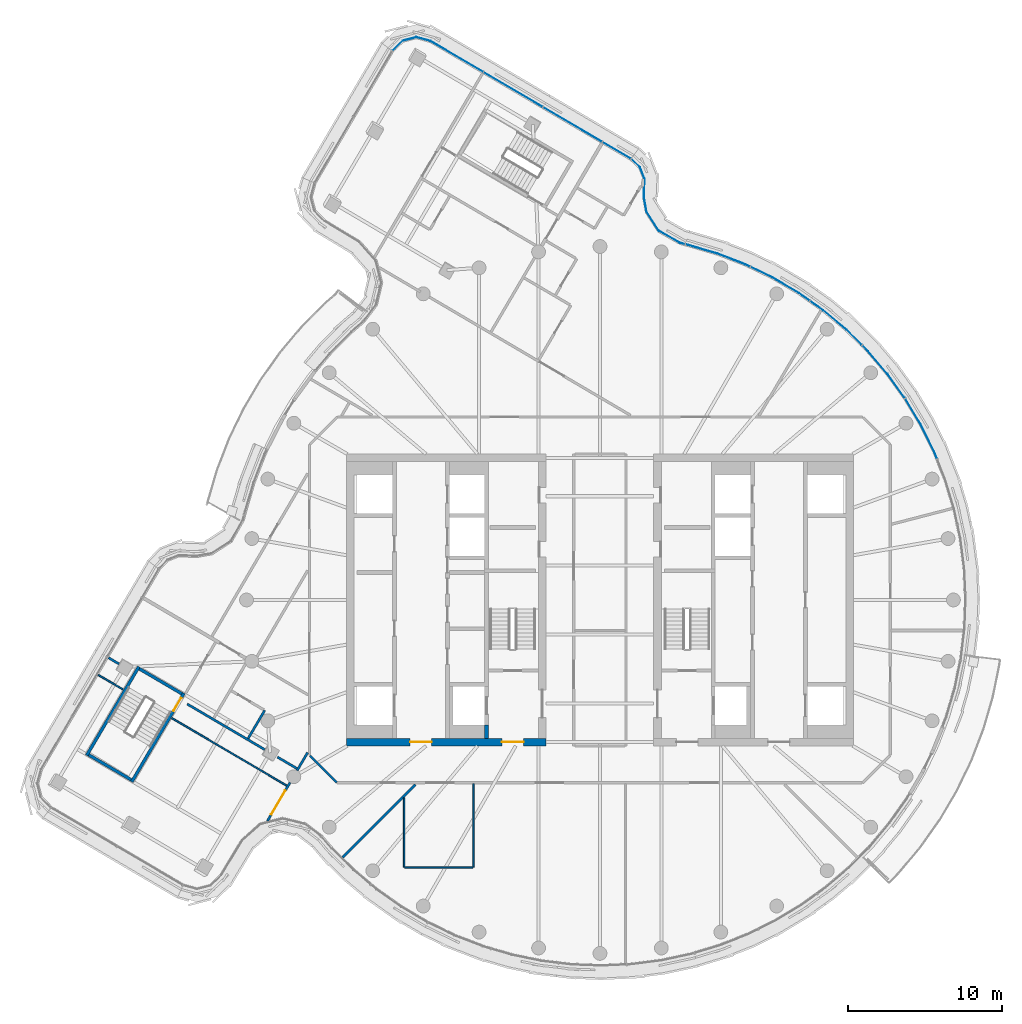
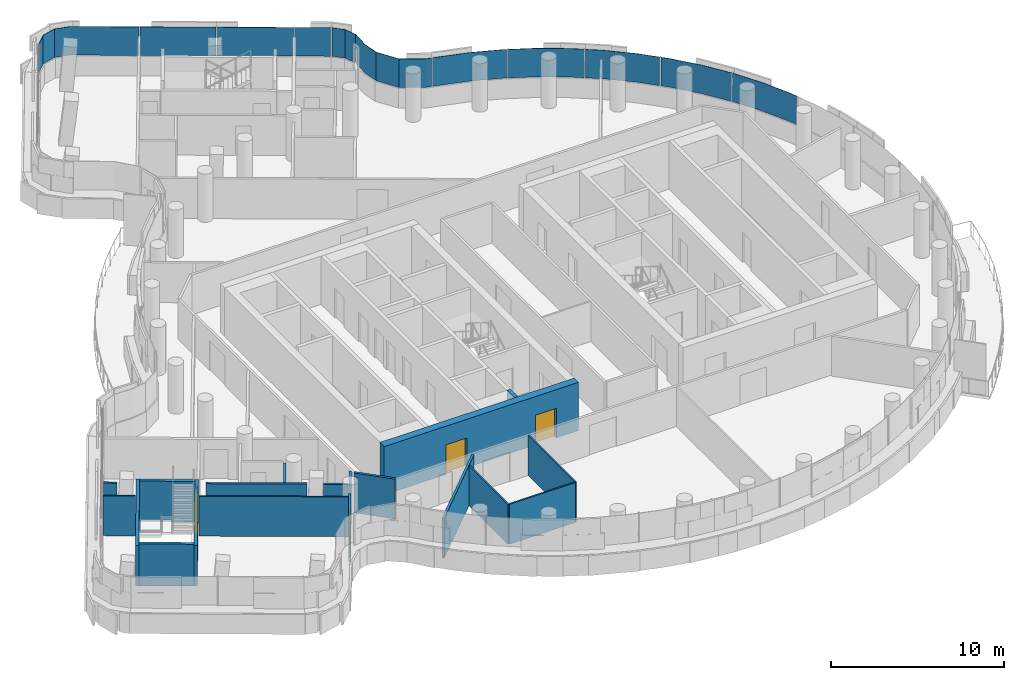
# One storey, part 16 of 26: 19 walls, 10 plates, 4 doors, 4 openings, 2 elements without a shape of their own.
"""IFC4 building model written with IfcOpenShell, lengths in metres."""

from ifc_helpers import new_model, si_unit, direction, frame, frame_2d, origin, place, context, subcontext, project, spatial, polyline, rectangle, outline, extrude, material, layer, layer_set, type_object, element, fill, aggregate, save


model = new_model("IFC4")

# Units and contexts
model_context = context("Model", 3, precision=1e-05, world=origin(), true_north=direction((0.0, 1.0)))
body_context = subcontext(model_context, "Body", "Model", "MODEL_VIEW")
ifc_project = project(units=[si_unit("LENGTHUNIT", "METRE"), si_unit("AREAUNIT", "SQUARE_METRE"), si_unit("VOLUMEUNIT", "CUBIC_METRE"), si_unit("PLANEANGLEUNIT", "RADIAN"), si_unit("MASSUNIT", "GRAM", prefix="KILO")], contexts=[model_context])

# Site, building, storey
site_placement = place(None, origin())
site = spatial("IfcSite", under=ifc_project, at=site_placement, CompositionType="ELEMENT")
building_placement = place(site_placement, origin())
building = spatial("IfcBuilding", under=site, at=building_placement, Name="Tamarind Cross Interchange Tower", CompositionType="ELEMENT")
storey_placement = place(building_placement, frame((0.0, 0.0, 248.699951171875)))
storey = spatial("IfcBuildingStorey", under=building, at=storey_placement, Name="L63", CompositionType="ELEMENT", Elevation=248.699951171875)

# Curtain wall, plates
ifc_material_1 = material(Name="Aluminium 6063-T6", Category="aluminium")
ifc_layer_1 = layer(ifc_material_1, 0.139892578125)
ifc_layer_set_1 = layer_set([ifc_layer_1], Name="Aluminium 6063-T6")
curtain_wall_type = type_object("IfcCurtainWallType", Name="Hotel curtain wall, 4.5 m bays", PredefinedType="NOTDEFINED", material=ifc_layer_set_1)
curtain_wall_1_placement = place(storey_placement, origin())
curtain_wall_1 = element("IfcCurtainWall", 1, at=curtain_wall_1_placement, inside=storey, type_object=curtain_wall_type, Name="CWS-L63-01", PredefinedType="NOTDEFINED")
ifc_material_2 = material(Name="Laminated low-e glass 6+1.52+6", Category="glass")
ifc_layer_2 = layer(ifc_material_2, 0.02392578125)
ifc_layer_set_2 = layer_set([ifc_layer_2], Name="Laminated low-e glass 6+1.52+6")
plate_type = type_object("IfcPlateType", Name="Vision panel CW2", PredefinedType="CURTAIN_PANEL", material=ifc_layer_set_2)
plate_1_placement = place(storey_placement, frame((0.0, 0.0, 1.400146484375)))
plate_1 = element("IfcPlate", 2, at=plate_1_placement, type_object=plate_type, Name="CWP-L63-01-16", PredefinedType="CURTAIN_PANEL", context=body_context, shape_type="SweptSolid", body=[
    extrude(outline(polyline([(21.9189453125, 9.192626953125), (21.7392578125, 9.6474609375), (20.868408203125, 11.40966796875), (19.863037109375, 13.08056640625), (19.883544921875, 13.0927734375), (20.889404296875, 11.421142578125), (21.76123046875, 9.6572265625), (21.941162109375, 9.201416015625), (21.9189453125, 9.192626953125)])), origin(), (0.0, 0.0, 1.0), 2.02001953125),
])
plate_2_placement = place(storey_placement, frame((0.0, 0.0, 1.400146484375)))
plate_2 = element("IfcPlate", 3, at=plate_2_placement, type_object=plate_type, Name="CWP-L63-01-17", PredefinedType="CURTAIN_PANEL", context=body_context, shape_type="SweptSolid", body=[
    extrude(outline(polyline([(19.82958984375, 13.129150390625), (18.705810546875, 14.68896484375), (17.4287109375, 16.183349609375), (17.061767578125, 16.54736328125), (17.07861328125, 16.564453125), (17.4462890625, 16.19970703125), (18.724609375, 14.703857421875), (19.84912109375, 13.14306640625), (19.82958984375, 13.129150390625)])), origin(), (0.0, 0.0, 1.0), 2.02001953125),
])
plate_3_placement = place(storey_placement, frame((0.0, 0.0, 1.400146484375)))
plate_3 = element("IfcPlate", 4, at=plate_3_placement, type_object=plate_type, Name="CWP-L63-01-18", PredefinedType="CURTAIN_PANEL", context=body_context, shape_type="SweptSolid", body=[
    extrude(outline(polyline([(17.01904296875, 16.589599609375), (16.032958984375, 17.5673828125), (14.52734375, 18.83154296875), (13.669677734375, 19.438232421875), (13.68359375, 19.457763671875), (14.5419921875, 18.850341796875), (16.049072265625, 17.585205078125), (17.0361328125, 16.606689453125), (17.01904296875, 16.589599609375)])), origin(), (0.0, 0.0, 1.0), 2.02001953125),
])
plate_4_placement = place(storey_placement, frame((0.0, 0.0, 1.400146484375)))
plate_4 = element("IfcPlate", 5, at=plate_4_placement, type_object=plate_type, Name="CWP-L63-01-19", PredefinedType="CURTAIN_PANEL", context=body_context, shape_type="SweptSolid", body=[
    extrude(outline(polyline([(13.62060546875, 19.472900390625), (12.922607421875, 19.966796875), (11.229736328125, 20.9658203125), (9.803466796875, 21.655517578125), (9.813720703125, 21.677001953125), (11.240966796875, 20.98681640625), (12.935791015625, 19.987060546875), (13.634521484375, 19.492431640625), (13.62060546875, 19.472900390625)])), origin(), (0.0, 0.0, 1.0), 2.02001953125),
])
plate_5_placement = place(storey_placement, frame((0.0, 0.0, 1.400146484375)))
plate_5 = element("IfcPlate", 6, at=plate_5_placement, type_object=plate_type, Name="CWP-L63-01-20", PredefinedType="CURTAIN_PANEL", context=body_context, shape_type="SweptSolid", body=[
    extrude(outline(polyline([(9.749267578125, 21.681640625), (9.4599609375, 21.821533203125), (7.625732421875, 22.528076171875), (5.7333984375, 23.08251953125), (5.577880859375, 23.1240234375), (5.583984375, 23.147216796875), (5.73974609375, 23.105712890625), (7.63330078125, 22.55078125), (9.469482421875, 21.843505859375), (9.759765625, 21.703125), (9.749267578125, 21.681640625)])), origin(), (0.0, 0.0, 1.0), 2.02001953125),
])
plate_6_placement = place(storey_placement, frame((0.0, 0.0, 1.400146484375)))
plate_6 = element("IfcPlate", 7, at=plate_6_placement, type_object=plate_type, Name="CWP-L63-01-21", PredefinedType="CURTAIN_PANEL", context=body_context, shape_type="SweptSolid", body=[
    extrude(outline(polyline([(5.519775390625, 23.139404296875), (5.20703125, 23.22265625), (3.82861328125, 24.00439453125), (3.023681640625, 25.2470703125), (2.845458984375, 26.22900390625), (2.889892578125, 27.401123046875), (2.602294921875, 28.136962890625), (2.032470703125, 28.671875), (2.048828125, 28.689208984375), (2.622802734375, 28.150634765625), (2.9140625, 27.4052734375), (2.86962890625, 26.230712890625), (3.04638671875, 25.256103515625), (3.845703125, 24.0224609375), (5.21630859375, 23.2451171875), (5.52587890625, 23.16259765625), (5.519775390625, 23.139404296875)])), origin(), (0.0, 0.0, 1.0), 2.02001953125),
])
aggregate(curtain_wall_1, [plate_1, plate_2, plate_3, plate_4, plate_5, plate_6])

curtain_wall_2_placement = place(storey_placement, origin())
curtain_wall_2 = element("IfcCurtainWall", 8, at=curtain_wall_2_placement, inside=storey, type_object=curtain_wall_type, Name="CWS-L63-02", PredefinedType="NOTDEFINED")
plate_7_placement = place(storey_placement, frame((0.0, 0.0, 1.400146484375)))
plate_7 = element("IfcPlate", 9, at=plate_7_placement, type_object=plate_type, Name="CWP-L63-02-00", PredefinedType="CURTAIN_PANEL", context=body_context, shape_type="SweptSolid", body=[
    extrude(outline(polyline([(1.98681640625, 28.7060546875), (0.17626953125, 29.77001953125), (0.1884765625, 29.790771484375), (1.9990234375, 28.7265625), (1.98681640625, 28.7060546875)])), origin(), (0.0, 0.0, 1.0), 2.02001953125),
])
plate_8_placement = place(storey_placement, frame((0.0, 0.0, 1.400146484375)))
plate_8 = element("IfcPlate", 10, at=plate_8_placement, type_object=plate_type, Name="CWP-L63-02-01", PredefinedType="CURTAIN_PANEL", context=body_context, shape_type="SweptSolid", body=[
    extrude(outline(polyline([(0.12451171875, 29.800537109375), (-3.690673828125, 32.043212890625), (-3.678466796875, 32.063720703125), (0.13671875, 29.8212890625), (0.12451171875, 29.800537109375)])), origin(), (0.0, 0.0, 1.0), 2.02001953125),
])
plate_9_placement = place(storey_placement, frame((0.0, 0.0, 1.400146484375)))
plate_9 = element("IfcPlate", 11, at=plate_9_placement, type_object=plate_type, Name="CWP-L63-02-02", PredefinedType="CURTAIN_PANEL", context=body_context, shape_type="SweptSolid", body=[
    extrude(outline(polyline([(-3.742431640625, 32.073486328125), (-7.5576171875, 34.316162109375), (-7.545654296875, 34.336669921875), (-3.730224609375, 32.09423828125), (-3.742431640625, 32.073486328125)])), origin(), (0.0, 0.0, 1.0), 2.02001953125),
])
plate_10_placement = place(storey_placement, frame((0.0, 0.0, 1.400146484375)))
plate_10 = element("IfcPlate", 12, at=plate_10_placement, type_object=plate_type, Name="CWP-L63-02-03", PredefinedType="CURTAIN_PANEL", context=body_context, shape_type="SweptSolid", body=[
    extrude(outline(polyline([(-7.609375, 34.346435546875), (-11.027587890625, 36.355712890625), (-11.94384765625, 36.60888671875), (-12.8359375, 36.377197265625), (-13.4931640625, 35.730224609375), (-13.510009765625, 35.747314453125), (-12.84814453125, 36.39892578125), (-11.943603515625, 36.633544921875), (-11.018310546875, 36.3779296875), (-7.597412109375, 34.3671875), (-7.609375, 34.346435546875)])), origin(), (0.0, 0.0, 1.0), 2.02001953125),
])
aggregate(curtain_wall_2, [plate_7, plate_8, plate_9, plate_10])

# Wall, openings, doors
ifc_material_3 = material(Name="Concrete C50", Category="concrete")
ifc_layer_3 = layer(ifc_material_3, 0.5)
ifc_layer_set_3 = layer_set([ifc_layer_3], Name="Concrete C50")
wall_type_1 = type_object("IfcWallType", Name="Core wall 500 mm Concrete C50", PredefinedType="SHEAR", material=ifc_layer_set_3)
wall_1_placement = place(storey_placement, frame((-16.5, -9.25, 0.0), z_axis=(0.0, 0.0, 1.0), x_axis=(1.0, 0.0, 0.0)))
wall_1 = element("IfcWall", 13, at=wall_1_placement, inside=storey, type_object=wall_type_1, Name="Core wall CWL-L63-W-S", PredefinedType="SHEAR", context=body_context, shape_type="SweptSolid", body=[
    extrude(rectangle(XDim=13.0, YDim=0.5, at=frame_2d((6.5, 0.0))), origin(), (0.0, 0.0, 1.0), 3.420166015625),
])
opening_1_placement = place(wall_1_placement, frame((4.14990234375, 0.0, 0.0)))
opening_1 = element("IfcOpeningElement", 14, at=opening_1_placement, cuts=wall_1, Name="Opening DCW1", PredefinedType="OPENING", context=body_context, shape_type="SweptSolid", body=[
    extrude(rectangle(XDim=1.39990234375, YDim=2.10009765625, at=frame_2d((0.699951171875, 1.050048828125))), frame((0.0, 0.260009765625, 0.0), z_axis=(0.0, -1.0, 0.0), x_axis=(1.0, 0.0, 0.0)), (0.0, 0.0, 1.0), 0.52001953125),
])
opening_2_placement = place(wall_1_placement, frame((10.125, 0.0, 0.0)))
opening_2 = element("IfcOpeningElement", 15, at=opening_2_placement, cuts=wall_1, Name="Opening DCWF", PredefinedType="OPENING", context=body_context, shape_type="SweptSolid", body=[
    extrude(rectangle(XDim=1.39990234375, YDim=2.10009765625, at=frame_2d((0.699951171875, 1.050048828125))), frame((0.0, 0.260009765625, 0.0), z_axis=(0.0, -1.0, 0.0), x_axis=(1.0, 0.0, 0.0)), (0.0, 0.0, 1.0), 0.52001953125),
])
ifc_material_4 = material(Name="Steel, fire-resisting", Category="steel")
door_type_1 = type_object("IfcDoorType", Name="Core fire door 1400 x 2100 FD90", OperationType="SINGLE_SWING_LEFT", PredefinedType="DOOR", material=ifc_material_4)
door_1_placement = place(opening_1_placement, origin())
door_1 = element("IfcDoor", 16, at=door_1_placement, inside=storey, type_object=door_type_1, Name="L63 lift lobby door", OperationType="SINGLE_SWING_LEFT", OverallHeight=2.10009765625, OverallWidth=1.39990234375, PredefinedType="DOOR", context=body_context, shape_type="SweptSolid", body=[
    extrude(rectangle(XDim=1.39990234375, YDim=2.10009765625, at=frame_2d((0.699951171875, 1.050048828125))), frame((0.0, 0.02490234375, 0.0), z_axis=(0.0, -1.0, 0.0), x_axis=(1.0, 0.0, 0.0)), (0.0, 0.0, 1.0), 0.050048828125),
])
fill(opening_1, door_1)
door_2_placement = place(opening_2_placement, origin())
door_2 = element("IfcDoor", 17, at=door_2_placement, inside=storey, type_object=door_type_1, Name="L63 firefighting lobby end door", OperationType="SINGLE_SWING_LEFT", OverallHeight=2.10009765625, OverallWidth=1.39990234375, PredefinedType="DOOR", context=body_context, shape_type="SweptSolid", body=[
    extrude(rectangle(XDim=1.39990234375, YDim=2.10009765625, at=frame_2d((0.699951171875, 1.050048828125))), frame((0.0, 0.02490234375, 0.0), z_axis=(0.0, -1.0, 0.0), x_axis=(1.0, 0.0, 0.0)), (0.0, 0.0, 1.0), 0.050048828125),
])
fill(opening_2, door_2)

# Walls
ifc_layer_4 = layer(ifc_material_3, 0.25)
ifc_layer_set_4 = layer_set([ifc_layer_4], Name="Concrete C50")
wall_type_2 = type_object("IfcWallType", Name="Core web wall 250 mm Concrete C50", PredefinedType="SHEAR", material=ifc_layer_set_4)
wall_2_placement = place(storey_placement, frame((-7.375, -9.0, 0.0), z_axis=(0.0, 0.0, 1.0), x_axis=(0.0, 1.0, 0.0)))
element("IfcWall", 18, at=wall_2_placement, inside=storey, type_object=wall_type_2, Name="Core wall CWL-L63-W-BW", PredefinedType="SHEAR", context=body_context, shape_type="SweptSolid", body=[
    extrude(rectangle(XDim=0.875, YDim=0.25, at=frame_2d((0.4375, 0.0))), origin(), (0.0, 0.0, 1.0), 3.420166015625),
])
ifc_material_5 = material(Name="Gypsum board partition on steel studs", Category="steel")
ifc_layer_5 = layer(ifc_material_5, 0.10009765625)
ifc_layer_set_5 = layer_set([ifc_layer_5], Name="Gypsum board partition on steel studs")
wall_type_3 = type_object("IfcWallType", Name="Partition 100 mm EI 90", PredefinedType="PARTITIONING", material=ifc_layer_set_5)
wall_3_placement = place(storey_placement, frame((-32.639892578125, -4.881591796875, 0.0), z_axis=(0.0, 0.0, 1.0), x_axis=(0.862207561559, -0.506555150789, 0.0)))
element("IfcWall", 19, at=wall_3_placement, inside=storey, type_object=wall_type_3, Name="Partition L63-004", PredefinedType="PARTITIONING", context=body_context, shape_type="SweptSolid", body=[
    extrude(rectangle(XDim=1.85888671875, YDim=0.10009765625, at=frame_2d((0.929443359375, 0.0))), origin(), (0.0, 0.0, 1.0), 2.820068359375),
])
wall_4_placement = place(storey_placement, frame((-27.864501953125, -7.687255859375, 0.0), z_axis=(0.0, 0.0, 1.0), x_axis=(0.862208691121, -0.506553228156, 0.0)))
element("IfcWall", 20, at=wall_4_placement, inside=storey, type_object=wall_type_3, Name="Partition L63-005", PredefinedType="PARTITIONING", context=body_context, shape_type="SweptSolid", body=[
    extrude(rectangle(XDim=8.68505859375, YDim=0.10009765625, at=frame_2d((4.342529296875, 0.0))), origin(), (0.0, 0.0, 1.0), 2.820068359375),
])
wall_5_placement = place(storey_placement, frame((-12.7060546875, -17.39990234375, 0.0), z_axis=(0.0, 0.0, 1.0), x_axis=(1.0, 0.0, 0.0)))
element("IfcWall", 21, at=wall_5_placement, inside=storey, type_object=wall_type_3, Name="Partition L63-025", PredefinedType="PARTITIONING", context=body_context, shape_type="SweptSolid", body=[
    extrude(rectangle(XDim=4.43017578125, YDim=0.10009765625, at=frame_2d((2.215087890625, 0.0))), origin(), (0.0, 0.0, 1.0), 2.823974609375),
])
wall_6_placement = place(storey_placement, frame((-12.740966796875, -17.39990234375, 0.0), z_axis=(0.0, 0.0, 1.0), x_axis=(0.0, 1.0, 0.0)))
element("IfcWall", 22, at=wall_6_placement, inside=storey, type_object=wall_type_3, Name="Partition L63-052", PredefinedType="PARTITIONING", context=body_context, shape_type="SweptSolid", body=[
    extrude(rectangle(XDim=4.518798828125, YDim=0.10009765625, at=frame_2d((2.25927734375, 0.0))), origin(), (0.0, 0.0, 1.0), 2.823974609375),
])
wall_7_placement = place(storey_placement, frame((-8.240966796875, -17.39990234375, 0.0), z_axis=(0.0, 0.0, 1.0), x_axis=(0.0, 1.0, 0.0)))
element("IfcWall", 23, at=wall_7_placement, inside=storey, type_object=wall_type_3, Name="Partition L63-053", PredefinedType="PARTITIONING", context=body_context, shape_type="SweptSolid", body=[
    extrude(rectangle(XDim=5.44482421875, YDim=0.10009765625, at=frame_2d((2.722412109375, 0.0))), origin(), (0.0, 0.0, 1.0), 2.823974609375),
])
ifc_layer_6 = layer(ifc_material_5, 0.14990234375)
ifc_layer_set_6 = layer_set([ifc_layer_6], Name="Gypsum board partition on steel studs")
wall_type_4 = type_object("IfcWallType", Name="Partition 150 mm EI 120", PredefinedType="PARTITIONING", material=ifc_layer_set_6)
wall_8_placement = place(storey_placement, frame((-18.87158203125, -10.12841796875, 0.0), z_axis=(0.0, 0.0, 1.0), x_axis=(0.707106781187, -0.707106781187, 0.0)))
element("IfcWall", 24, at=wall_8_placement, inside=storey, type_object=wall_type_4, Name="Partition L63-001", PredefinedType="PARTITIONING", context=body_context, shape_type="SweptSolid", body=[
    extrude(rectangle(XDim=2.465087890625, YDim=0.14990234375, at=frame_2d((1.232421875, 0.0))), origin(), (0.0, 0.0, 1.0), 2.823974609375),
])
wall_9_placement = place(storey_placement, frame((-31.98095703125, -3.760498046875, 0.0), z_axis=(0.0, 0.0, 1.0), x_axis=(0.86206768602, -0.506793157728, 0.0)))
element("IfcWall", 25, at=wall_9_placement, inside=storey, type_object=wall_type_4, Name="Partition L63-006", PredefinedType="PARTITIONING", context=body_context, shape_type="SweptSolid", body=[
    extrude(rectangle(XDim=0.79931640625, YDim=0.14990234375, at=frame_2d((0.399658203125, 0.0))), origin(), (0.0, 0.0, 1.0), 2.823974609375),
])
wall_10_placement = place(storey_placement, frame((-26.856689453125, -6.77294921875, 0.0), z_axis=(0.0, 0.0, 1.0), x_axis=(0.862091797668, -0.506752140985, 0.0)))
element("IfcWall", 26, at=wall_10_placement, inside=storey, type_object=wall_type_4, Name="Partition L63-007", PredefinedType="PARTITIONING", context=body_context, shape_type="SweptSolid", body=[
    extrude(rectangle(XDim=5.85302734375, YDim=0.14990234375, at=frame_2d((2.926513671875, 0.0))), origin(), (0.0, 0.0, 1.0), 2.820068359375),
])
wall_11_placement = place(storey_placement, frame((-20.989501953125, -10.221923828125, 0.0), z_axis=(0.0, 0.0, 1.0), x_axis=(0.862134928998, -0.506678758388, 0.0)))
element("IfcWall", 27, at=wall_11_placement, inside=storey, type_object=wall_type_4, Name="Partition L63-008", PredefinedType="PARTITIONING", context=body_context, shape_type="SweptSolid", body=[
    extrude(rectangle(XDim=1.46923828125, YDim=0.14990234375, at=frame_2d((0.734619140625, 0.0))), origin(), (0.0, 0.0, 1.0), 2.820068359375),
])
wall_12_placement = place(storey_placement, frame((-16.740478515625, -16.740478515625, 0.0), z_axis=(0.0, 0.0, 1.0), x_axis=(0.707106781187, 0.707106781187, 0.0)))
element("IfcWall", 28, at=wall_12_placement, inside=storey, type_object=wall_type_4, Name="Partition L63-032", PredefinedType="PARTITIONING", context=body_context, shape_type="SweptSolid", body=[
    extrude(rectangle(XDim=6.690673828125, YDim=0.14990234375, at=frame_2d((3.34521484375, 0.0))), origin(), (0.0, 0.0, 1.0), 2.823974609375),
])
wall_13_placement = place(storey_placement, frame((-22.89208984375, -9.016357421875, 0.0), z_axis=(0.0, 0.0, 1.0), x_axis=(0.506789195044, 0.862070015594, 0.0)))
element("IfcWall", 29, at=wall_13_placement, inside=storey, type_object=wall_type_4, Name="Partition L63-038", PredefinedType="PARTITIONING", context=body_context, shape_type="SweptSolid", body=[
    extrude(rectangle(XDim=2.12548828125, YDim=0.14990234375, at=frame_2d((1.062744140625, 0.0))), origin(), (0.0, 0.0, 1.0), 2.719970703125),
])

# Wall, opening, door
wall_14_placement = place(storey_placement, frame((-21.63671875, -14.37939453125, 0.0), z_axis=(0.0, 0.0, 1.0), x_axis=(0.506773579249, 0.862079195536, 0.0)))
wall_14 = element("IfcWall", 30, at=wall_14_placement, inside=storey, type_object=wall_type_4, Name="Partition L63-040", PredefinedType="PARTITIONING", context=body_context, shape_type="SweptSolid", body=[
    extrude(rectangle(XDim=2.899658203125, YDim=0.14990234375, at=frame_2d((1.44970703125, 0.0))), origin(), (0.0, 0.0, 1.0), 2.823974609375),
])
opening_3_placement = place(wall_14_placement, frame((0.4912109375, 0.0, 0.0)))
opening_3 = element("IfcOpeningElement", 31, at=opening_3_placement, cuts=wall_14, Name="Opening D15", PredefinedType="OPENING", context=body_context, shape_type="SweptSolid", body=[
    extrude(rectangle(XDim=1.800048828125, YDim=2.10009765625, at=frame_2d((0.89990234375, 1.050048828125))), frame((0.0, 0.0849609375, 0.0), z_axis=(0.0, -1.0, 0.0), x_axis=(1.0, 0.0, 0.0)), (0.0, 0.0, 1.0), 0.169921875),
])
ifc_material_6 = material(Name="Fire-resisting door set")
door_type_2 = type_object("IfcDoorType", Name="Interior door 1800 x 2100 FD60S", OperationType="DOUBLE_DOOR_SINGLE_SWING", PredefinedType="DOOR", material=ifc_material_6)
door_3_placement = place(opening_3_placement, origin())
door_3 = element("IfcDoor", 32, at=door_3_placement, inside=storey, type_object=door_type_2, Name="Door D15", OperationType="DOUBLE_DOOR_SINGLE_SWING", OverallHeight=2.10009765625, OverallWidth=1.800048828125, PredefinedType="DOOR", context=body_context, shape_type="SweptSolid", body=[
    extrude(rectangle(XDim=1.800048828125, YDim=2.10009765625, at=frame_2d((0.89990234375, 1.050048828125))), frame((0.0, 0.02490234375, 0.0), z_axis=(0.0, -1.0, 0.0), x_axis=(1.0, 0.0, 0.0)), (0.0, 0.0, 1.0), 0.050048828125),
])
fill(opening_3, door_3)

# Wall
wall_15_placement = place(storey_placement, frame((-19.706787109375, -11.0966796875, 0.0), z_axis=(0.0, 0.0, 1.0), x_axis=(0.506775518667, 0.862078055445, 0.0)))
element("IfcWall", 33, at=wall_15_placement, inside=storey, type_object=wall_type_4, Name="Partition L63-041", PredefinedType="PARTITIONING", context=body_context, shape_type="SweptSolid", body=[
    extrude(rectangle(XDim=1.352294921875, YDim=0.14990234375, at=frame_2d((0.67626953125, 0.0))), origin(), (0.0, 0.0, 1.0), 2.823974609375),
])

# Wall, opening, door
ifc_material_7 = material(Name="Concrete C40", Category="concrete")
ifc_layer_7 = layer(ifc_material_7, 0.199951171875)
ifc_layer_set_7 = layer_set([ifc_layer_7], Name="Concrete C40")
wall_type_5 = type_object("IfcWallType", Name="Stair shaft wall 200 mm Concrete C40", PredefinedType="SHEAR", material=ifc_layer_set_7)
wall_16_placement = place(storey_placement, frame((-27.0732421875, -6.065673828125, -0.139892578125), z_axis=(0.0, 0.0, 1.0), x_axis=(-0.506720715415, -0.86211026938, 0.0)))
wall_16 = element("IfcWall", 34, at=wall_16_placement, inside=storey, type_object=wall_type_5, Name="Core wall CWL-L63-ST5-H", PredefinedType="SHEAR", context=body_context, shape_type="SweptSolid", body=[
    extrude(rectangle(XDim=6.699951171875, YDim=0.199951171875, at=frame_2d((3.35009765625, 0.0))), origin(), (0.0, 0.0, 1.0), 2.85986328125),
])
opening_4_placement = place(wall_16_placement, frame((0.35009765625, 0.0, 0.0)))
opening_4 = element("IfcOpeningElement", 35, at=opening_4_placement, cuts=wall_16, Name="Opening ST5L63", PredefinedType="OPENING", context=body_context, shape_type="SweptSolid", body=[
    extrude(rectangle(XDim=1.0, YDim=2.10009765625, at=frame_2d((0.5, 1.050048828125))), frame((0.0, 0.10986328125, 0.0), z_axis=(0.0, -1.0, 0.0), x_axis=(1.0, 0.0, 0.0)), (0.0, 0.0, 1.0), 0.219970703125),
])
door_type_3 = type_object("IfcDoorType", Name="Core fire door 1000 x 2100 FD90", OperationType="SINGLE_SWING_LEFT", PredefinedType="DOOR", material=ifc_material_4)
door_4_placement = place(opening_4_placement, origin())
door_4 = element("IfcDoor", 36, at=door_4_placement, inside=storey, type_object=door_type_3, Name="L63 stair door ST5", OperationType="SINGLE_SWING_LEFT", OverallHeight=2.10009765625, OverallWidth=1.0, PredefinedType="DOOR", context=body_context, shape_type="SweptSolid", body=[
    extrude(rectangle(XDim=1.0, YDim=2.10009765625, at=frame_2d((0.5, 1.050048828125))), frame((0.0, 0.02490234375, 0.0), z_axis=(0.0, -1.0, 0.0), x_axis=(1.0, 0.0, 0.0)), (0.0, 0.0, 1.0), 0.050048828125),
])
fill(opening_4, door_4)

# Walls
wall_17_placement = place(storey_placement, frame((-30.00439453125, -4.3427734375, -0.139892578125), z_axis=(0.0, 0.0, 1.0), x_axis=(-0.506720715415, -0.86211026938, 0.0)))
element("IfcWall", 37, at=wall_17_placement, inside=storey, type_object=wall_type_5, Name="Core wall CWL-L63-ST5-C", PredefinedType="SHEAR", context=body_context, shape_type="SweptSolid", body=[
    extrude(rectangle(XDim=6.699951171875, YDim=0.199951171875, at=frame_2d((3.35009765625, 0.0))), origin(), (0.0, 0.0, 1.0), 2.85986328125),
])
wall_18_placement = place(storey_placement, frame((-29.968994140625, -4.479736328125, -0.139892578125), z_axis=(0.0, 0.0, 1.0), x_axis=(0.862102834216, -0.506733365032, 0.0)))
element("IfcWall", 38, at=wall_18_placement, inside=storey, type_object=wall_type_5, Name="Core wall CWL-L63-ST5-CE", PredefinedType="SHEAR", context=body_context, shape_type="SweptSolid", body=[
    extrude(rectangle(XDim=3.199951171875, YDim=0.199951171875, at=frame_2d((1.60009765625, 0.0))), origin(), (0.0, 0.0, 1.0), 2.85986328125),
])
wall_19_placement = place(storey_placement, frame((0.0, 0.0, -0.139892578125)))
element("IfcWall", 39, at=wall_19_placement, inside=storey, type_object=wall_type_5, Name="Core wall CWL-L63-ST5-CF", PredefinedType="SHEAR", context=body_context, shape_type="SweptSolid", body=[
    extrude(outline(polyline([(-33.2119140625, -9.9970703125), (-33.313232421875, -10.16943359375), (-30.5546875, -11.791015625), (-30.453125, -11.61865234375), (-33.2119140625, -9.9970703125)])), origin(), (0.0, 0.0, 1.0), 2.9599609375),
])

save(model, "model.ifc")
